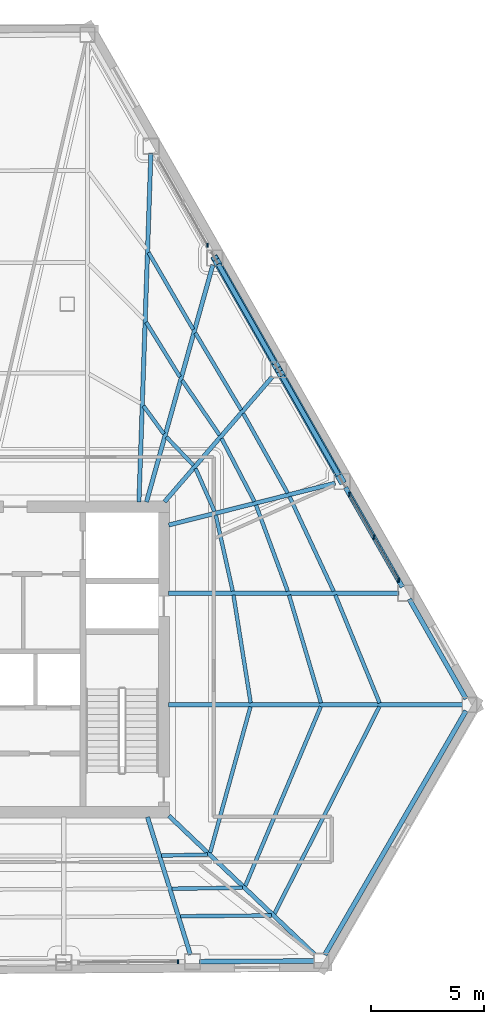
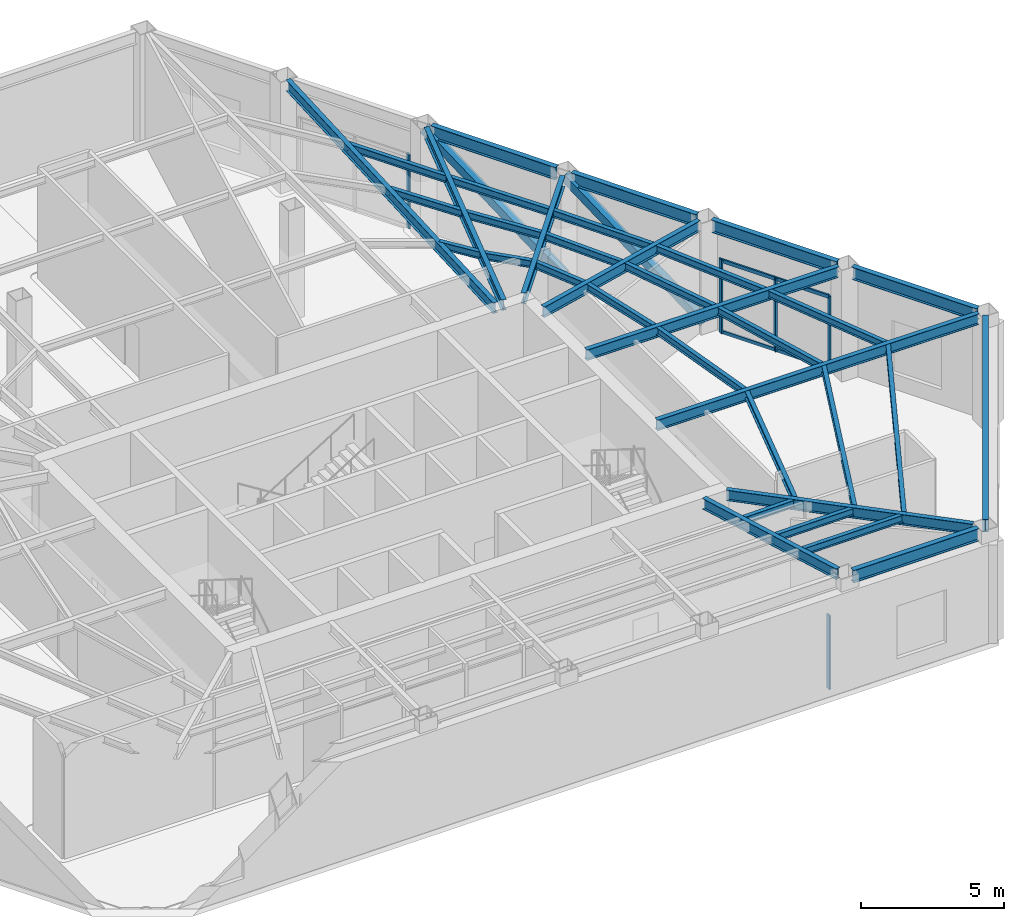
# One storey, part 4 of 14: 35 beams, 9 members, 3 elements without a shape of their own.
"""IFC4 building model written with IfcOpenShell, lengths in metres."""

from ifc_helpers import new_model, si_unit, direction, frame, origin, origin_2d, place, context, subcontext, project, spatial, rectangle, hollow_rectangle, i_section, extrude, material, layer, layer_set, material_profile, profile_set, type_object, element, aggregate, save


model = new_model("IFC4")

# Units and contexts
model_context = context("Model", 3, precision=1e-05, world=origin(), true_north=direction((0.0, 1.0)))
body_context = subcontext(model_context, "Body", "Model", "MODEL_VIEW")
ifc_project = project(units=[si_unit("LENGTHUNIT", "METRE"), si_unit("AREAUNIT", "SQUARE_METRE"), si_unit("VOLUMEUNIT", "CUBIC_METRE"), si_unit("PLANEANGLEUNIT", "RADIAN"), si_unit("MASSUNIT", "GRAM", prefix="KILO")], contexts=[model_context])

# Site, building, storey
site_placement = place(None, origin())
site = spatial("IfcSite", under=ifc_project, at=site_placement, CompositionType="ELEMENT")
building_placement = place(site_placement, origin())
building = spatial("IfcBuilding", under=site, at=building_placement, Name="Kavelnor Concourse Tower", CompositionType="ELEMENT")
storey_placement = place(building_placement, frame((0.0, 0.0, 80.5)))
storey = spatial("IfcBuildingStorey", under=building, at=storey_placement, Name="L20", CompositionType="ELEMENT", Elevation=80.5)

# Beams
ifc_material_1 = material(Name="Steel Grade 350", Category="steel")
ifc_material_profile_1 = material_profile(ifc_material_1, i_section(OverallWidth=0.166015625, OverallDepth=0.306884765625, WebThickness=0.006591796875, FlangeThickness=0.01171875, at=origin_2d()), Name="310UB46")
ifc_profile_set_1 = profile_set([ifc_material_profile_1], Name="Steel Grade 350")
beam_type_1 = type_object("IfcBeamType", Name="BM-JOIST-310", PredefinedType="JOIST", material=ifc_profile_set_1)
beam_1_placement = place(storey_placement, frame((47.664306640625, 7.43603515625, 4.596435546875), z_axis=(0.999748660057, 0.022419114934, 0.0), x_axis=(-0.022419114934, 0.999748660057, 0.0)))
element("IfcBeam", 1, at=beam_1_placement, inside=storey, type_object=beam_type_1, Name="L20 Secondary Composite Joist 07-1", PredefinedType="JOIST", context=body_context, shape_type="SweptSolid", body=[
    extrude(i_section(OverallWidth=0.166015625, OverallDepth=0.306884765625, WebThickness=0.006591796875, FlangeThickness=0.01171875, at=origin_2d()), origin(), (0.0, 0.0, 1.0), 2.036376953125),
])
beam_2_placement = place(storey_placement, frame((48.11962890625, 5.974609375, 4.596435546875), z_axis=(0.999913689638, 0.013138237123, 0.0), x_axis=(-0.013138237123, 0.999913689638, 0.0)))
element("IfcBeam", 2, at=beam_2_placement, inside=storey, type_object=beam_type_1, Name="L20 Secondary Composite Joist 07-2", PredefinedType="JOIST", context=body_context, shape_type="SweptSolid", body=[
    extrude(i_section(OverallWidth=0.166015625, OverallDepth=0.306884765625, WebThickness=0.006591796875, FlangeThickness=0.01171875, at=origin_2d()), origin(), (0.0, 0.0, 1.0), 3.121826171875),
])
beam_3_placement = place(storey_placement, frame((48.498779296875, 4.757080078125, 4.596435546875), z_axis=(0.999959199641, 0.009033219398, 0.0), x_axis=(-0.009033219398, 0.999959199641, 0.0)))
element("IfcBeam", 3, at=beam_3_placement, inside=storey, type_object=beam_type_1, Name="L20 Secondary Composite Joist 07-3", PredefinedType="JOIST", context=body_context, shape_type="SweptSolid", body=[
    extrude(i_section(OverallWidth=0.166015625, OverallDepth=0.306884765625, WebThickness=0.006591796875, FlangeThickness=0.01171875, at=origin_2d()), origin(), (0.0, 0.0, 1.0), 4.027099609375),
])
beam_4_placement = place(storey_placement, frame((49.812744140625, 7.569580078125, 4.596435546875), z_axis=(0.266308146028, 0.963887945437, 0.0), x_axis=(-0.963887945437, 0.266308146028, 0.0)))
element("IfcBeam", 4, at=beam_4_placement, inside=storey, type_object=beam_type_1, Name="L20 Secondary Composite Joist 08-1", PredefinedType="JOIST", context=body_context, shape_type="SweptSolid", body=[
    extrude(i_section(OverallWidth=0.166015625, OverallDepth=0.306884765625, WebThickness=0.006591796875, FlangeThickness=0.01171875, at=origin_2d()), origin(), (0.0, 0.0, 1.0), 6.68505859375),
])
beam_5_placement = place(storey_placement, frame((51.364990234375, 6.098876953125, 4.596435546875), z_axis=(0.388105273239, 0.9216150481, 0.0), x_axis=(-0.9216150481, 0.388105273239, 0.0)))
element("IfcBeam", 5, at=beam_5_placement, inside=storey, type_object=beam_type_1, Name="L20 Secondary Composite Joist 08-2", PredefinedType="JOIST", context=body_context, shape_type="SweptSolid", body=[
    extrude(i_section(OverallWidth=0.166015625, OverallDepth=0.306884765625, WebThickness=0.006591796875, FlangeThickness=0.01171875, at=origin_2d()), origin(), (0.0, 0.0, 1.0), 8.591552734375),
])
beam_6_placement = place(storey_placement, frame((52.65478515625, 4.873779296875, 4.596435546875), z_axis=(0.452187581456, 0.891922861674, 0.0), x_axis=(-0.891922861674, 0.452187581456, 0.0)))
element("IfcBeam", 6, at=beam_6_placement, inside=storey, type_object=beam_type_1, Name="L20 Secondary Composite Joist 08-3", PredefinedType="JOIST", context=body_context, shape_type="SweptSolid", body=[
    extrude(i_section(OverallWidth=0.166015625, OverallDepth=0.306884765625, WebThickness=0.006591796875, FlangeThickness=0.01171875, at=origin_2d()), origin(), (0.0, 0.0, 1.0), 10.25390625),
])
beam_7_placement = place(storey_placement, frame((51.602783203125, 14.18701171875, 4.596435546875), z_axis=(-0.157617027389, 0.98750031528, 0.0), x_axis=(-0.98750031528, -0.157617027389, 0.0)))
element("IfcBeam", 7, at=beam_7_placement, inside=storey, type_object=beam_type_1, Name="L20 Secondary Composite Joist 09-1", PredefinedType="JOIST", context=body_context, shape_type="SweptSolid", body=[
    extrude(i_section(OverallWidth=0.166015625, OverallDepth=0.306884765625, WebThickness=0.006591796875, FlangeThickness=0.01171875, at=origin_2d()), origin(), (0.0, 0.0, 1.0), 4.81884765625),
])
beam_8_placement = place(storey_placement, frame((54.708740234375, 14.184326171875, 4.596435546875), z_axis=(-0.284195395825, 0.958766382907, 0.0), x_axis=(-0.958766382907, -0.284195395825, 0.0)))
element("IfcBeam", 8, at=beam_8_placement, inside=storey, type_object=beam_type_1, Name="L20 Secondary Composite Joist 09-2", PredefinedType="JOIST", context=body_context, shape_type="SweptSolid", body=[
    extrude(i_section(OverallWidth=0.166015625, OverallDepth=0.306884765625, WebThickness=0.006591796875, FlangeThickness=0.01171875, at=origin_2d()), origin(), (0.0, 0.0, 1.0), 4.96875),
])
beam_9_placement = place(storey_placement, frame((57.2978515625, 14.181396484375, 4.596435546875), z_axis=(-0.37967067037, 0.925121712025, 0.0), x_axis=(-0.925121712025, -0.37967067037, 0.0)))
element("IfcBeam", 9, at=beam_9_placement, inside=storey, type_object=beam_type_1, Name="L20 Secondary Composite Joist 09-3", PredefinedType="JOIST", context=body_context, shape_type="SweptSolid", body=[
    extrude(i_section(OverallWidth=0.166015625, OverallDepth=0.306884765625, WebThickness=0.006591796875, FlangeThickness=0.01171875, at=origin_2d()), origin(), (0.0, 0.0, 1.0), 5.15576171875),
])
beam_10_placement = place(storey_placement, frame((50.809814453125, 19.120361328125, 4.596435546875), z_axis=(-0.2178107254, 0.975991028596, 0.0), x_axis=(-0.975991028596, -0.2178107254, 0.0)))
element("IfcBeam", 10, at=beam_10_placement, inside=storey, type_object=beam_type_1, Name="L20 Secondary Composite Joist 10-1", PredefinedType="JOIST", context=body_context, shape_type="SweptSolid", body=[
    extrude(i_section(OverallWidth=0.166015625, OverallDepth=0.306884765625, WebThickness=0.006591796875, FlangeThickness=0.01171875, at=origin_2d()), origin(), (0.0, 0.0, 1.0), 3.435546875),
])
beam_11_placement = place(storey_placement, frame((53.240478515625, 19.116943359375, 4.596435546875), z_axis=(-0.345599293195, 0.938382186821, 0.0), x_axis=(-0.938382186821, -0.345599293195, 0.0)))
element("IfcBeam", 11, at=beam_11_placement, inside=storey, type_object=beam_type_1, Name="L20 Secondary Composite Joist 10-2", PredefinedType="JOIST", context=body_context, shape_type="SweptSolid", body=[
    extrude(i_section(OverallWidth=0.166015625, OverallDepth=0.306884765625, WebThickness=0.006591796875, FlangeThickness=0.01171875, at=origin_2d()), origin(), (0.0, 0.0, 1.0), 4.053466796875),
])
beam_12_placement = place(storey_placement, frame((55.268798828125, 19.1142578125, 4.596435546875), z_axis=(-0.422868076887, 0.9061912544, 0.0), x_axis=(-0.9061912544, -0.422868076887, 0.0)))
element("IfcBeam", 12, at=beam_12_placement, inside=storey, type_object=beam_type_1, Name="L20 Secondary Composite Joist 10-3", PredefinedType="JOIST", context=body_context, shape_type="SweptSolid", body=[
    extrude(i_section(OverallWidth=0.166015625, OverallDepth=0.306884765625, WebThickness=0.006591796875, FlangeThickness=0.01171875, at=origin_2d()), origin(), (0.0, 0.0, 1.0), 4.61181640625),
])
beam_13_placement = place(storey_placement, frame((50.006103515625, 22.6416015625, 4.596435546875), z_axis=(-0.403849332709, 0.914825511489, 0.0), x_axis=(-0.914825511489, -0.403849332709, 0.0)))
element("IfcBeam", 13, at=beam_13_placement, inside=storey, type_object=beam_type_1, Name="L20 Secondary Composite Joist 11-1", PredefinedType="JOIST", context=body_context, shape_type="SweptSolid", body=[
    extrude(i_section(OverallWidth=0.166015625, OverallDepth=0.306884765625, WebThickness=0.006591796875, FlangeThickness=0.01171875, at=origin_2d()), origin(), (0.0, 0.0, 1.0), 2.0693359375),
])
beam_14_placement = place(storey_placement, frame((51.767578125, 23.0830078125, 4.596435546875), z_axis=(-0.462227945625, 0.886761143873, 0.0), x_axis=(-0.886761143873, -0.462227945625, 0.0)))
element("IfcBeam", 14, at=beam_14_placement, inside=storey, type_object=beam_type_1, Name="L20 Secondary Composite Joist 11-2", PredefinedType="JOIST", context=body_context, shape_type="SweptSolid", body=[
    extrude(i_section(OverallWidth=0.166015625, OverallDepth=0.306884765625, WebThickness=0.006591796875, FlangeThickness=0.01171875, at=origin_2d()), origin(), (0.0, 0.0, 1.0), 3.134765625),
])
beam_15_placement = place(storey_placement, frame((53.2373046875, 23.451904296875, 4.596435546875), z_axis=(-0.487623007803, 0.873054295139, 0.0), x_axis=(-0.873054295139, -0.487623007803, 0.0)))
element("IfcBeam", 15, at=beam_15_placement, inside=storey, type_object=beam_type_1, Name="L20 Secondary Composite Joist 11-3", PredefinedType="JOIST", context=body_context, shape_type="SweptSolid", body=[
    extrude(i_section(OverallWidth=0.166015625, OverallDepth=0.306884765625, WebThickness=0.006591796875, FlangeThickness=0.01171875, at=origin_2d()), origin(), (0.0, 0.0, 1.0), 4.02783203125),
])
beam_16_placement = place(storey_placement, frame((49.072998046875, 24.6806640625, 4.596435546875), z_axis=(-0.689626895743, 0.724164860144, 0.0), x_axis=(-0.724164860144, -0.689626895743, 0.0)))
element("IfcBeam", 16, at=beam_16_placement, inside=storey, type_object=beam_type_1, Name="L20 Secondary Composite Joist 12-1", PredefinedType="JOIST", context=body_context, shape_type="SweptSolid", body=[
    extrude(i_section(OverallWidth=0.166015625, OverallDepth=0.306884765625, WebThickness=0.006591796875, FlangeThickness=0.01171875, at=origin_2d()), origin(), (0.0, 0.0, 1.0), 1.724853515625),
])
beam_17_placement = place(storey_placement, frame((50.227294921875, 26.01513671875, 4.596435546875), z_axis=(-0.563784178975, 0.825922151015, 0.0), x_axis=(-0.825922151015, -0.563784178975, 0.0)))
element("IfcBeam", 17, at=beam_17_placement, inside=storey, type_object=beam_type_1, Name="L20 Secondary Composite Joist 12-2", PredefinedType="JOIST", context=body_context, shape_type="SweptSolid", body=[
    extrude(i_section(OverallWidth=0.166015625, OverallDepth=0.306884765625, WebThickness=0.006591796875, FlangeThickness=0.01171875, at=origin_2d()), origin(), (0.0, 0.0, 1.0), 2.928955078125),
])
beam_18_placement = place(storey_placement, frame((51.184326171875, 27.122802734375, 4.596435546875), z_axis=(-0.511637721452, 0.859201281416, 0.0), x_axis=(-0.859201281416, -0.511637721452, 0.0)))
element("IfcBeam", 18, at=beam_18_placement, inside=storey, type_object=beam_type_1, Name="L20 Secondary Composite Joist 12-3", PredefinedType="JOIST", context=body_context, shape_type="SweptSolid", body=[
    extrude(i_section(OverallWidth=0.166015625, OverallDepth=0.306884765625, WebThickness=0.006591796875, FlangeThickness=0.01171875, at=origin_2d()), origin(), (0.0, 0.0, 1.0), 3.9609375),
])
beam_19_placement = place(storey_placement, frame((47.76953125, 26.066162109375, 4.596435546875), z_axis=(-0.589412834968, 0.807831981278, 0.0), x_axis=(-0.807831981278, -0.589412834968, 0.0)))
element("IfcBeam", 19, at=beam_19_placement, inside=storey, type_object=beam_type_1, Name="L20 Secondary Composite Joist 13-1", PredefinedType="JOIST", context=body_context, shape_type="SweptSolid", body=[
    extrude(i_section(OverallWidth=0.166015625, OverallDepth=0.306884765625, WebThickness=0.006591796875, FlangeThickness=0.01171875, at=origin_2d()), origin(), (0.0, 0.0, 1.0), 1.53125),
])
beam_20_placement = place(storey_placement, frame((48.47900390625, 28.583740234375, 4.596435546875), z_axis=(-0.525459912748, 0.850818359049, 0.0), x_axis=(-0.850818359049, -0.525459912748, 0.0)))
element("IfcBeam", 20, at=beam_20_placement, inside=storey, type_object=beam_type_1, Name="L20 Secondary Composite Joist 13-2", PredefinedType="JOIST", context=body_context, shape_type="SweptSolid", body=[
    extrude(i_section(OverallWidth=0.166015625, OverallDepth=0.306884765625, WebThickness=0.006591796875, FlangeThickness=0.01171875, at=origin_2d()), origin(), (0.0, 0.0, 1.0), 2.837890625),
])
beam_21_placement = place(storey_placement, frame((49.0673828125, 30.6796875, 4.596435546875), z_axis=(-0.502511453364, 0.864570551914, 0.0), x_axis=(-0.864570551914, -0.502511453364, 0.0)))
element("IfcBeam", 21, at=beam_21_placement, inside=storey, type_object=beam_type_1, Name="L20 Secondary Composite Joist 13-3", PredefinedType="JOIST", context=body_context, shape_type="SweptSolid", body=[
    extrude(i_section(OverallWidth=0.166015625, OverallDepth=0.306884765625, WebThickness=0.006591796875, FlangeThickness=0.01171875, at=origin_2d()), origin(), (0.0, 0.0, 1.0), 3.931884765625),
])
ifc_material_profile_2 = material_profile(ifc_material_1, i_section(OverallWidth=0.18994140625, OverallDepth=0.4541015625, WebThickness=0.008544921875, FlangeThickness=0.0126953125, at=origin_2d()), Name="460UB67")
ifc_profile_set_2 = profile_set([ifc_material_profile_2], Name="Steel Grade 350")
beam_type_2 = type_object("IfcBeamType", Name="BM-PRIMARY-460", PredefinedType="BEAM", material=ifc_profile_set_2)
beam_22_placement = place(storey_placement, frame((47.04443359375, 9.13818359375, 4.52294921875), z_axis=(0.297507279462, -0.954719549746, 0.0), x_axis=(0.954719549746, 0.297507279462, 0.0)))
element("IfcBeam", 22, at=beam_22_placement, inside=storey, type_object=beam_type_2, Name="L20 Primary Floor Girder F1-B5", PredefinedType="BEAM", context=body_context, shape_type="SweptSolid", body=[
    extrude(i_section(OverallWidth=0.18994140625, OverallDepth=0.4541015625, WebThickness=0.008544921875, FlangeThickness=0.0126953125, at=origin_2d()), origin(), (0.0, 0.0, 1.0), 6.37451171875),
])
beam_23_placement = place(storey_placement, frame((47.990966796875, 9.195068359375, 4.52294921875), z_axis=(0.724363829537, -0.689417901173, 0.0), x_axis=(0.689417901173, 0.724363829537, 0.0)))
element("IfcBeam", 23, at=beam_23_placement, inside=storey, type_object=beam_type_2, Name="L20 Primary Floor Girder F1-B6", PredefinedType="BEAM", context=body_context, shape_type="SweptSolid", body=[
    extrude(i_section(OverallWidth=0.18994140625, OverallDepth=0.4541015625, WebThickness=0.008544921875, FlangeThickness=0.0126953125, at=origin_2d()), origin(), (0.0, 0.0, 1.0), 8.865478515625),
])
beam_24_placement = place(storey_placement, frame((47.97998046875, 14.09912109375, 4.52294921875), z_axis=(1.0, 0.0, 0.0), x_axis=(0.0, 1.0, 0.0)))
element("IfcBeam", 24, at=beam_24_placement, inside=storey, type_object=beam_type_2, Name="L20 Primary Floor Girder F2-B0", PredefinedType="BEAM", context=body_context, shape_type="SweptSolid", body=[
    extrude(i_section(OverallWidth=0.18994140625, OverallDepth=0.4541015625, WebThickness=0.008544921875, FlangeThickness=0.0126953125, at=origin_2d()), origin(), (0.0, 0.0, 1.0), 12.988525390625),
])
beam_25_placement = place(storey_placement, frame((47.97998046875, 19.033447265625, 4.52294921875), z_axis=(1.0, 0.0, 0.0), x_axis=(0.0, 1.0, 0.0)))
element("IfcBeam", 25, at=beam_25_placement, inside=storey, type_object=beam_type_2, Name="L20 Primary Floor Girder F2-B1", PredefinedType="BEAM", context=body_context, shape_type="SweptSolid", body=[
    extrude(i_section(OverallWidth=0.18994140625, OverallDepth=0.4541015625, WebThickness=0.008544921875, FlangeThickness=0.0126953125, at=origin_2d()), origin(), (0.0, 0.0, 1.0), 10.17578125),
])
beam_26_placement = place(storey_placement, frame((47.981201171875, 22.0419921875, 4.52294921875), z_axis=(0.969833281236, 0.243769166646, 0.0), x_axis=(-0.243769166646, 0.969833281236, 0.0)))
element("IfcBeam", 26, at=beam_26_placement, inside=storey, type_object=beam_type_2, Name="L20 Primary Floor Girder F2-B2", PredefinedType="BEAM", context=body_context, shape_type="SweptSolid", body=[
    extrude(i_section(OverallWidth=0.18994140625, OverallDepth=0.4541015625, WebThickness=0.008544921875, FlangeThickness=0.0126953125, at=origin_2d()), origin(), (0.0, 0.0, 1.0), 7.589599609375),
])
beam_27_placement = place(storey_placement, frame((47.801025390625, 23.069580078125, 4.52294921875), z_axis=(0.653005180934, 0.757353440392, 0.0), x_axis=(-0.757353440392, 0.653005180934, 0.0)))
element("IfcBeam", 27, at=beam_27_placement, inside=storey, type_object=beam_type_2, Name="L20 Primary Floor Girder F2-B3", PredefinedType="BEAM", context=body_context, shape_type="SweptSolid", body=[
    extrude(i_section(OverallWidth=0.18994140625, OverallDepth=0.4541015625, WebThickness=0.008544921875, FlangeThickness=0.0126953125, at=origin_2d()), origin(), (0.0, 0.0, 1.0), 7.292724609375),
])
beam_28_placement = place(storey_placement, frame((47.001220703125, 23.0615234375, 4.52294921875), z_axis=(0.269561652433, 0.962983133569, 0.0), x_axis=(-0.962983133569, 0.269561652433, 0.0)))
element("IfcBeam", 28, at=beam_28_placement, inside=storey, type_object=beam_type_2, Name="L20 Primary Floor Girder F2-B4", PredefinedType="BEAM", context=body_context, shape_type="SweptSolid", body=[
    extrude(i_section(OverallWidth=0.18994140625, OverallDepth=0.4541015625, WebThickness=0.008544921875, FlangeThickness=0.0126953125, at=origin_2d()), origin(), (0.0, 0.0, 1.0), 10.87646484375),
])
beam_29_placement = place(storey_placement, frame((46.66650390625, 23.06005859375, 4.52294921875), z_axis=(0.034245790391, 0.999413440894, 0.0), x_axis=(-0.999413440894, 0.034245790391, 0.0)))
element("IfcBeam", 29, at=beam_29_placement, inside=storey, type_object=beam_type_2, Name="L20 Primary Floor Girder F2-B5", PredefinedType="BEAM", context=body_context, shape_type="SweptSolid", body=[
    extrude(i_section(OverallWidth=0.18994140625, OverallDepth=0.4541015625, WebThickness=0.008544921875, FlangeThickness=0.0126953125, at=origin_2d()), origin(), (0.0, 0.0, 1.0), 15.420166015625),
])
ifc_material_profile_3 = material_profile(ifc_material_1, i_section(OverallWidth=0.208984375, OverallDepth=0.532958984375, WebThickness=0.01025390625, FlangeThickness=0.015625, at=origin_2d()), Name="530UB92")
ifc_profile_set_3 = profile_set([ifc_material_profile_3], Name="Steel Grade 350")
beam_type_3 = type_object("IfcBeamType", Name="BM-SPANDREL-Z2", PredefinedType="SPANDREL", material=ifc_profile_set_3)
beam_30_placement = place(storey_placement, frame((49.33984375, 2.75244140625, 4.4833984375), z_axis=(0.999979563429, 0.006393178, 0.0), x_axis=(-0.006393178, 0.999979563429, 0.0)))
element("IfcBeam", 30, at=beam_30_placement, inside=storey, type_object=beam_type_3, Name="L20 Perimeter Tube Spandrel Beam F1-B5", PredefinedType="SPANDREL", context=body_context, shape_type="SweptSolid", body=[
    extrude(i_section(OverallWidth=0.208984375, OverallDepth=0.532958984375, WebThickness=0.01025390625, FlangeThickness=0.015625, at=origin_2d()), origin(), (0.0, 0.0, 1.0), 5.078857421875),
])
beam_31_placement = place(storey_placement, frame((61.117431640625, 14.364013671875, 4.4833984375), z_axis=(-0.495225941902, 0.868764217994, 0.0), x_axis=(-0.868764217994, -0.495225941902, 0.0)))
element("IfcBeam", 31, at=beam_31_placement, inside=storey, type_object=beam_type_3, Name="L20 Perimeter Tube Spandrel Beam F2-B0", PredefinedType="SPANDREL", context=body_context, shape_type="SweptSolid", body=[
    extrude(i_section(OverallWidth=0.208984375, OverallDepth=0.532958984375, WebThickness=0.01025390625, FlangeThickness=0.015625, at=origin_2d()), origin(), (0.0, 0.0, 1.0), 5.06982421875),
])
beam_32_placement = place(storey_placement, frame((58.3046875, 19.298583984375, 4.4833984375), z_axis=(-0.495246660571, 0.868752407302, 0.0), x_axis=(-0.868752407302, -0.495246660571, 0.0)))
element("IfcBeam", 32, at=beam_32_placement, inside=storey, type_object=beam_type_3, Name="L20 Perimeter Tube Spandrel Beam F2-B1", PredefinedType="SPANDREL", context=body_context, shape_type="SweptSolid", body=[
    extrude(i_section(OverallWidth=0.208984375, OverallDepth=0.532958984375, WebThickness=0.01025390625, FlangeThickness=0.015625, at=origin_2d()), origin(), (0.0, 0.0, 1.0), 5.069580078125),
])
for number, where, z_axis, x_axis, name in (
    (33, (55.491943359375, 24.23291015625, 4.4833984375), (-0.495225941902, 0.868764217994, 0.0), (-0.868764217994, -0.495225941902, 0.0), "L20 Perimeter Tube Spandrel Beam F2-B2"),
    (34, (52.67919921875, 29.16748046875, 4.4833984375), (-0.49518959556, 0.868784935671, 0.0), (-0.868784935671, -0.49518959556, 0.0), "L20 Perimeter Tube Spandrel Beam F2-B3"),
):
    element("IfcBeam", number, at=place(storey_placement, frame(where, z_axis=z_axis, x_axis=x_axis)), inside=storey, type_object=beam_type_3, Name=name, PredefinedType="SPANDREL", context=body_context, shape_type="SweptSolid", body=[
        extrude(i_section(OverallWidth=0.208984375, OverallDepth=0.532958984375, WebThickness=0.01025390625, FlangeThickness=0.015625, at=origin_2d()), origin(), (0.0, 0.0, 1.0), 5.06982421875),
    ])
beam_33_placement = place(storey_placement, frame((54.87646484375, 3.05078125, 4.4833984375), z_axis=(0.500782889678, 0.865572930148, 0.0), x_axis=(-0.865572930148, 0.500782889678, 0.0)))
element("IfcBeam", 35, at=beam_33_placement, inside=storey, type_object=beam_type_3, Name="L20 Chamfer Facet Spandrel Beam C2", PredefinedType="SPANDREL", context=body_context, shape_type="SweptSolid", body=[
    extrude(i_section(OverallWidth=0.208984375, OverallDepth=0.532958984375, WebThickness=0.01025390625, FlangeThickness=0.015625, at=origin_2d()), origin(), (0.0, 0.0, 1.0), 12.458984375),
])

# Curtain wall, member
ifc_material_2 = material(Name="Anodised aluminium 6063-T6", Category="aluminium")
ifc_layer = layer(ifc_material_2, 0.18505859375, Name="Anodised aluminium 6063-T6")
ifc_layer_set = layer_set([ifc_layer], Name="Anodised aluminium 6063-T6")
curtain_wall_type = type_object("IfcCurtainWallType", Name="CW-SKYLOBBY-L20", PredefinedType="NOTDEFINED", material=ifc_layer_set)
curtain_wall_1_placement = place(storey_placement, origin())
curtain_wall_1 = element("IfcCurtainWall", 36, at=curtain_wall_1_placement, inside=storey, type_object=curtain_wall_type, Name="L20 Feature Curtain Wall F1-B4", PredefinedType="NOTDEFINED")
ifc_material_profile_4 = material_profile(ifc_material_2, rectangle(XDim=0.06494140625, YDim=0.18505859375, at=origin_2d()), Name="AL-MULL 65x185")
ifc_profile_set_4 = profile_set([ifc_material_profile_4], Name="Anodised aluminium 6063-T6")
member_type_1 = type_object("IfcMemberType", Name="CW-SKYLOBBY-L20-MULL", PredefinedType="MULLION", material=ifc_profile_set_4)
member_1_placement = place(storey_placement, frame((48.385009765625, 2.74609375, 0.0), z_axis=(0.0, 0.0, 1.0), x_axis=(1.0, 0.0, 0.0)))
member_1 = element("IfcMember", 37, at=member_1_placement, type_object=member_type_1, Name="L20 Feature Curtain Wall F1-B4 Mullion 2", PredefinedType="MULLION", context=body_context, shape_type="SweptSolid", body=[
    extrude(rectangle(XDim=0.06494140625, YDim=0.18505859375, at=origin_2d()), origin(), (0.0, 0.0, 1.0), 3.14990234375),
])
aggregate(curtain_wall_1, [member_1])

# Curtain wall, members
curtain_wall_2_placement = place(storey_placement, origin())
curtain_wall_2 = element("IfcCurtainWall", 38, at=curtain_wall_2_placement, inside=storey, type_object=curtain_wall_type, Name="L20 Feature Curtain Wall F2-B1", PredefinedType="NOTDEFINED")
member_2_placement = place(storey_placement, frame((58.1337890625, 19.59814453125, 0.0), z_axis=(0.0, 0.0, 1.0), x_axis=(1.0, 0.0, 0.0)))
member_2 = element("IfcMember", 39, at=member_2_placement, type_object=member_type_1, Name="L20 Feature Curtain Wall F2-B1 Mullion 0", PredefinedType="MULLION", context=body_context, shape_type="SweptSolid", body=[
    extrude(rectangle(XDim=0.06494140625, YDim=0.18505859375, at=origin_2d()), origin(), (0.0, 0.0, 1.0), 3.14990234375),
])
member_3_placement = place(storey_placement, frame((57.04931640625, 21.500732421875, 0.0), z_axis=(0.0, 0.0, 1.0), x_axis=(1.0, 0.0, 0.0)))
member_3 = element("IfcMember", 40, at=member_3_placement, type_object=member_type_1, Name="L20 Feature Curtain Wall F2-B1 Mullion 1", PredefinedType="MULLION", context=body_context, shape_type="SweptSolid", body=[
    extrude(rectangle(XDim=0.06494140625, YDim=0.18505859375, at=origin_2d()), origin(), (0.0, 0.0, 1.0), 3.14990234375),
])
member_4_placement = place(storey_placement, frame((55.96484375, 23.4033203125, 0.0), z_axis=(0.0, 0.0, 1.0), x_axis=(1.0, 0.0, 0.0)))
member_4 = element("IfcMember", 41, at=member_4_placement, type_object=member_type_1, Name="L20 Feature Curtain Wall F2-B1 Mullion 2", PredefinedType="MULLION", context=body_context, shape_type="SweptSolid", body=[
    extrude(rectangle(XDim=0.06494140625, YDim=0.18505859375, at=origin_2d()), origin(), (0.0, 0.0, 1.0), 3.14990234375),
])

# Curtain wall, member
curtain_wall_3_placement = place(storey_placement, origin())
curtain_wall_3 = element("IfcCurtainWall", 42, at=curtain_wall_3_placement, inside=storey, type_object=curtain_wall_type, Name="L20 Feature Curtain Wall F2-B4", PredefinedType="NOTDEFINED")
member_5_placement = place(storey_placement, frame((49.69580078125, 34.401611328125, 0.0), z_axis=(0.0, 0.0, 1.0), x_axis=(1.0, 0.0, 0.0)))
member_5 = element("IfcMember", 43, at=member_5_placement, type_object=member_type_1, Name="L20 Feature Curtain Wall F2-B4 Mullion 0", PredefinedType="MULLION", context=body_context, shape_type="SweptSolid", body=[
    extrude(rectangle(XDim=0.06494140625, YDim=0.18505859375, at=origin_2d()), origin(), (0.0, 0.0, 1.0), 3.14990234375),
])
aggregate(curtain_wall_3, [member_5])

# Member
ifc_material_profile_5 = material_profile(ifc_material_2, rectangle(XDim=0.06494140625, YDim=0.14990234375, at=origin_2d()), Name="AL-TRAN 65x150")
ifc_profile_set_5 = profile_set([ifc_material_profile_5], Name="Anodised aluminium 6063-T6")
member_type_2 = type_object("IfcMemberType", Name="CW-SKYLOBBY-L20-TRAN", PredefinedType="USERDEFINED", material=ifc_profile_set_5)
member_6_placement = place(storey_placement, frame((58.1337890625, 19.59814453125, 0.06005859375), z_axis=(-0.495202202574, 0.868777749811, 0.0), x_axis=(-0.868777749811, -0.495202202574, 0.0)))
member_6 = element("IfcMember", 44, at=member_6_placement, type_object=member_type_2, Name="L20 Feature Curtain Wall F2-B1 Transom 0-BOT", ObjectType="TRANSOM", PredefinedType="USERDEFINED", context=body_context, shape_type="SweptSolid", body=[
    extrude(rectangle(XDim=0.06494140625, YDim=0.14990234375, at=origin_2d()), origin(), (0.0, 0.0, 1.0), 4.3798828125),
])

member_7_placement = place(storey_placement, frame((58.1337890625, 19.59814453125, 3.090087890625), z_axis=(-0.495202202574, 0.868777749811, 0.0), x_axis=(-0.868777749811, -0.495202202574, 0.0)))
member_7 = element("IfcMember", 45, at=member_7_placement, type_object=member_type_2, Name="L20 Feature Curtain Wall F2-B1 Transom 0-TOP", ObjectType="TRANSOM", PredefinedType="USERDEFINED", context=body_context, shape_type="SweptSolid", body=[
    extrude(rectangle(XDim=0.06494140625, YDim=0.14990234375, at=origin_2d()), origin(), (0.0, 0.0, 1.0), 4.3798828125),
])

aggregate(curtain_wall_2, [member_2, member_3, member_4, member_6, member_7])

# Members
ifc_material_profile_6 = material_profile(ifc_material_1, hollow_rectangle(XDim=0.320068359375, YDim=0.320068359375, WallThickness=0.01806640625, at=origin_2d()), Name="SHS 320x320x18")
ifc_profile_set_6 = profile_set([ifc_material_profile_6], Name="Steel Grade 350")
member_type_3 = type_object("IfcMemberType", Name="MBR-TUBE-DIAG-Z2", PredefinedType="BRACE", material=ifc_profile_set_6)
member_8_placement = place(storey_placement, frame((55.64306640625, 23.968017578125, 0.219970703125), z_axis=(-0.396059334388, 0.694796910625, 0.600328457288), x_axis=(-0.868763770033, -0.49522672775, 0.0)))
element("IfcMember", 46, at=member_8_placement, inside=storey, type_object=member_type_3, Name="L20 Framed-Tube Bracing Diagonal F2-B2", PredefinedType="BRACE", context=body_context, shape_type="SweptSolid", body=[
    extrude(hollow_rectangle(XDim=0.320068359375, YDim=0.320068359375, WallThickness=0.01806640625, at=origin_2d()), origin(), (0.0, 0.0, 1.0), 7.101806640625),
])
member_9_placement = place(storey_placement, frame((52.830322265625, 28.90234375, 0.219970703125), z_axis=(-0.396049874557, 0.694814691827, 0.600314118512), x_axis=(-0.868774311419, -0.495208234804, 0.0)))
element("IfcMember", 47, at=member_9_placement, inside=storey, type_object=member_type_3, Name="L20 Framed-Tube Bracing Diagonal F2-B3", PredefinedType="BRACE", context=body_context, shape_type="SweptSolid", body=[
    extrude(hollow_rectangle(XDim=0.320068359375, YDim=0.320068359375, WallThickness=0.01806640625, at=origin_2d()), origin(), (0.0, 0.0, 1.0), 7.10205078125),
])

save(model, "model.ifc")
